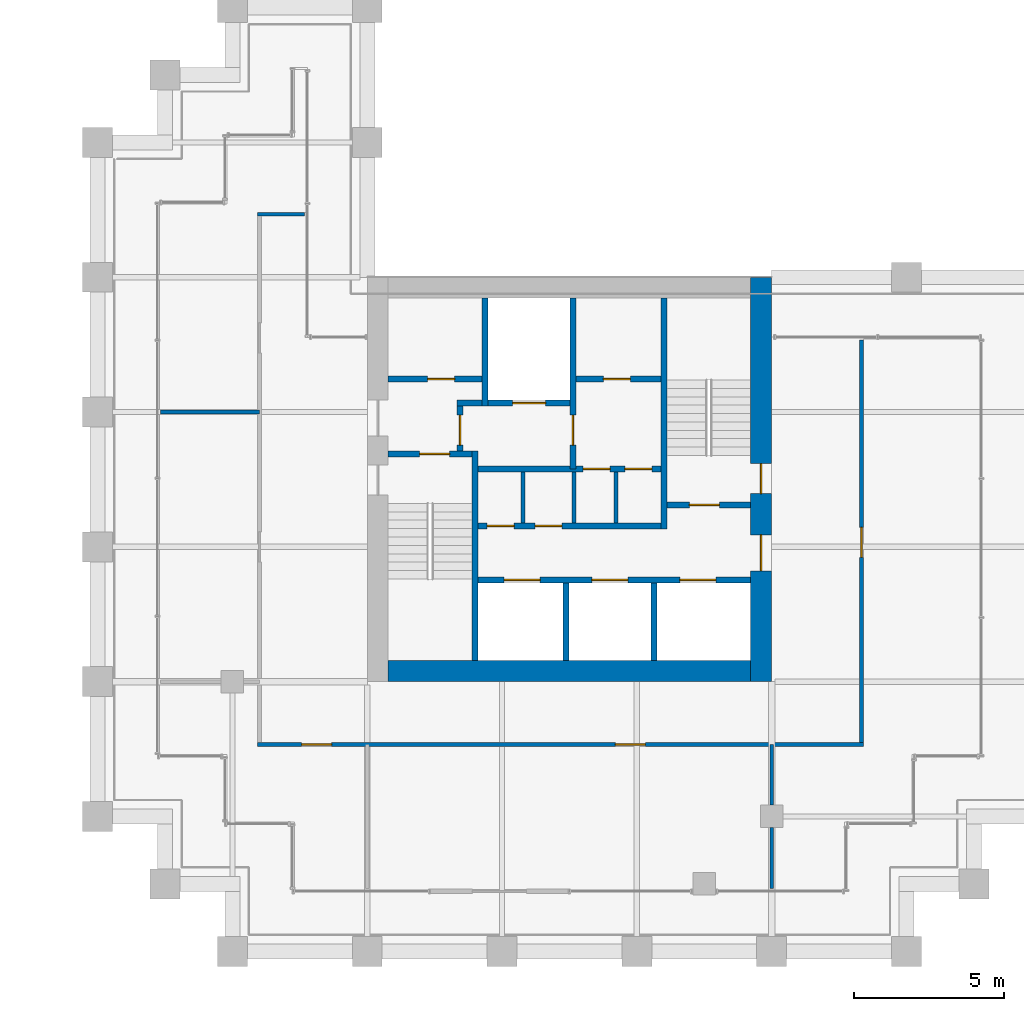
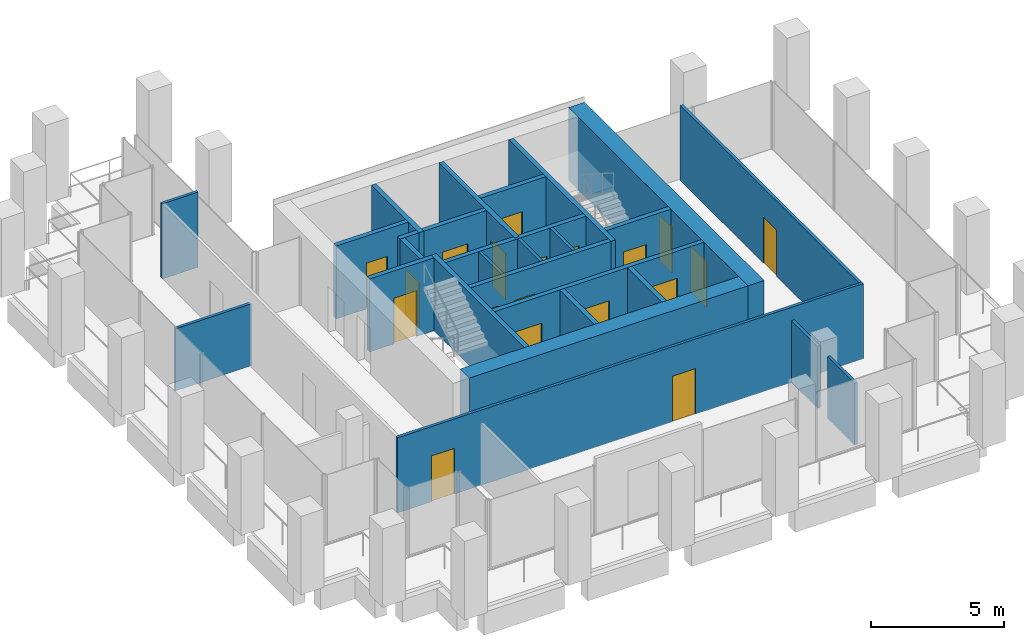
# One storey, part 43 of 46: 27 walls, 19 doors, 19 openings.
"""IFC4 building model written with IfcOpenShell, lengths in metres."""

import ifcopenshell
import ifcopenshell.guid

model = None  # the IFC model being written
_history = None  # IfcOwnerHistory: only IFC2X3 demands one
_inside = {}  # id of a spatial element -> (the spatial element, [elements in it])
_under = {}  # id of a project, library or spatial element -> (it, [spatial elements below it])
_declared = {}  # id of a project -> (the project, [libraries it declares])
_typed = {}  # id of a type object -> (the type object, [elements of that type])
_made_of = {}  # id of a material, layer set ... -> (it, [elements and type objects made of it])


def new_model(schema):
    """Start an empty IFC model of exactly this schema.

    Asked for "IFC4X3", IfcOpenShell would pick the latest addendum, in which some entities
    have other attributes; the version numbers below select the first issue.
    IFC2X3 requires an IfcOwnerHistory on every rooted entity: one is made here for all.
    """
    global model, _history
    if schema == "IFC4X3":
        model = ifcopenshell.file(schema_version=(4, 3, 0, 0))
    else:
        model = ifcopenshell.file(schema=schema)
    _inside.clear()
    _under.clear()
    _declared.clear()
    _typed.clear()
    _made_of.clear()
    _history = None
    if model.schema == "IFC2X3":
        org = make("IfcOrganization", Name="unknown")
        user = make(
            "IfcPersonAndOrganization",
            ThePerson=make("IfcPerson", FamilyName="unknown"),
            TheOrganization=org,
        )
        app = make(
            "IfcApplication",
            ApplicationDeveloper=org,
            Version="unknown",
            ApplicationFullName="unknown",
            ApplicationIdentifier="unknown",
        )
        _history = make(
            "IfcOwnerHistory",
            OwningUser=user,
            OwningApplication=app,
            ChangeAction="ADDED",
            CreationDate=0,
        )
    return model


def make(cls, **values):
    """One entity of the class cls with the attributes given. An attribute that is None is left unset."""
    return model.create_entity(
        cls, **{name: value for name, value in values.items() if value is not None}
    )


def rooted(cls, **values):
    """An entity with a GlobalId (a new one), such as an element, a storey or a relation."""
    return make(cls, GlobalId=ifcopenshell.guid.new(), OwnerHistory=_history, **values)


def si_unit(unit_type, name, prefix=None):
    """IfcSIUnit, for example si_unit("LENGTHUNIT", "METRE", prefix="MILLI")."""
    return make("IfcSIUnit", UnitType=unit_type, Prefix=prefix, Name=name)


def assignment(units):
    """IfcUnitAssignment: the units of a project."""
    return None if units is None else make("IfcUnitAssignment", Units=units)


def point(xyz):
    """IfcCartesianPoint."""
    return None if xyz is None else make("IfcCartesianPoint", Coordinates=xyz)


def direction(xyz):
    """IfcDirection."""
    return None if xyz is None else make("IfcDirection", DirectionRatios=xyz)


def frame(location, z_axis=None, x_axis=None):
    """IfcAxis2Placement3D, a coordinate frame: its origin and axes. An axis left out is left unset."""
    return make(
        "IfcAxis2Placement3D",
        Location=point(location),
        Axis=direction(z_axis),
        RefDirection=direction(x_axis),
    )


def frame_2d(location, x_axis=None):
    """IfcAxis2Placement2D, a coordinate frame in the plane: its origin and x axis."""
    return make(
        "IfcAxis2Placement2D", Location=point(location), RefDirection=direction(x_axis)
    )


def origin():
    """The frame at (0, 0, 0) with its axes left unset."""
    return frame((0.0, 0.0, 0.0))


def place(relative_to, where):
    """IfcLocalPlacement: puts the frame where relative to a parent placement (None: the world)."""
    return make(
        "IfcLocalPlacement", PlacementRelTo=relative_to, RelativePlacement=where
    )


def context(
    kind, dimensions, precision=None, world=None, true_north=None, identifier=None
):
    """IfcGeometricRepresentationContext, for example the 3D "Model" context."""
    return make(
        "IfcGeometricRepresentationContext",
        ContextIdentifier=identifier,
        ContextType=kind,
        CoordinateSpaceDimension=dimensions,
        Precision=precision,
        WorldCoordinateSystem=world,
        TrueNorth=true_north,
    )


def subcontext(parent, identifier, kind, view, scale=None):
    """IfcGeometricRepresentationSubContext, for example "Body" below "Model"."""
    return make(
        "IfcGeometricRepresentationSubContext",
        ContextIdentifier=identifier,
        ContextType=kind,
        ParentContext=parent,
        TargetScale=scale,
        TargetView=view,
    )


def project(units=None, contexts=None):
    """IfcProject with its units and contexts."""
    return rooted(
        "IfcProject",
        Name="project",
        RepresentationContexts=contexts,
        UnitsInContext=assignment(units),
    )


def spatial(cls, under=None, at=None, **own):
    """A site, building, storey or space (cls), placed at a placement, below another one or the project."""
    s = rooted(cls, ObjectPlacement=at, **own)
    if under is not None:
        _under.setdefault(under.id(), (under, []))[1].append(s)
    return s


def profile(cls, at=None, kind="AREA", **sizes):
    """A parametric profile (cls). Its sizes go by their IFC names, for example OverallWidth=200.0."""
    return make(cls, ProfileType=kind, Position=at, **sizes)


def rectangle(**sizes):
    """IfcRectangleProfileDef."""
    return profile("IfcRectangleProfileDef", **sizes)


def extrude(swept, where, along, depth):
    """IfcExtrudedAreaSolid: the profile swept, set in the frame where, extruded along a direction by depth."""
    return make(
        "IfcExtrudedAreaSolid",
        SweptArea=swept,
        Position=where,
        ExtrudedDirection=direction(along),
        Depth=depth,
    )


def shape(context_of_items, identifier, shape_type, items):
    """IfcShapeRepresentation: the items that make up one representation, for example the "Body"."""
    return make(
        "IfcShapeRepresentation",
        ContextOfItems=context_of_items,
        RepresentationIdentifier=identifier,
        RepresentationType=shape_type,
        Items=items,
    )


def material(Name=None, Category=None):
    """IfcMaterial."""
    return make("IfcMaterial", Name=Name, Category=Category)


def layer(
    of_material, thickness, ventilated=None, Name=None, Category=None, Priority=None
):
    """IfcMaterialLayer: one layer of a wall or slab, of a material (None: an air gap)."""
    return make(
        "IfcMaterialLayer",
        Material=of_material,
        LayerThickness=thickness,
        IsVentilated=ventilated,
        Name=Name,
        Category=Category,
        Priority=Priority,
    )


def layer_set(layers, Name=None):
    """IfcMaterialLayerSet."""
    return make("IfcMaterialLayerSet", MaterialLayers=layers, LayerSetName=Name)


def made_of(thing, what):
    """Note that an element or type object is made of a material, layer set ...; save() writes the relation."""
    if what is not None:
        _made_of.setdefault(what.id(), (what, []))[1].append(thing)
    return thing


def type_object(cls, material=None, **own):
    """A type object (cls), such as IfcWallType, which elements share."""
    return made_of(rooted(cls, **own), material)


def element(
    cls,
    number,
    at=None,
    inside=None,
    cuts=None,
    type_object=None,
    material=None,
    context=None,
    identifier="Body",
    shape_type=None,
    held_by="IfcProductDefinitionShape",
    body=None,
    shapes=None,
    **own,
):
    """One element of the class cls, such as IfcWall. Its Tag is "e" and its number.

    at: its placement. inside: the storey or other place that contains it. cuts: it is an
    opening in that element (IfcRelVoidsElement). A single representation is given by context,
    identifier, shape_type and body (its items); several are given by shapes. held_by: the class
    of the entity that holds the representations. save() writes the other relations.
    """
    e = rooted(cls, Tag="e%d" % number, ObjectPlacement=at, **own)
    if body is not None:
        shapes = [shape(context, identifier, shape_type, body)]
    if shapes is not None:
        e.Representation = make(held_by, Representations=shapes)
    if inside is not None:
        _inside.setdefault(inside.id(), (inside, []))[1].append(e)
    if cuts is not None:
        rooted(
            "IfcRelVoidsElement", RelatingBuildingElement=cuts, RelatedOpeningElement=e
        )
    if type_object is not None:
        _typed.setdefault(type_object.id(), (type_object, []))[1].append(e)
    return made_of(e, material)


def fill(opening, filler):
    """IfcRelFillsElement: the door or window that sits in an opening."""
    return rooted(
        "IfcRelFillsElement",
        RelatingOpeningElement=opening,
        RelatedBuildingElement=filler,
    )


def aggregate(whole, parts):
    """IfcRelAggregates: a whole, such as a stair, and the parts it consists of."""
    return rooted("IfcRelAggregates", RelatingObject=whole, RelatedObjects=parts)


def save(model, path):
    """Write the relations noted so far, then the file.

    IfcRelAggregates (storeys below a building ...), IfcRelContainedInSpatialStructure (elements
    in a storey), IfcRelDefinesByType, IfcRelAssociatesMaterial and IfcRelDeclares: one each for
    every whole, place, type object, material and project.
    """
    for whole, parts in _under.values():
        aggregate(whole, parts)
    for where, things in _inside.values():
        rooted(
            "IfcRelContainedInSpatialStructure",
            RelatedElements=things,
            RelatingStructure=where,
        )
    for kind, things in _typed.values():
        rooted("IfcRelDefinesByType", RelatedObjects=things, RelatingType=kind)
    for what, things in _made_of.values():
        rooted("IfcRelAssociatesMaterial", RelatedObjects=things, RelatingMaterial=what)
    for by, libraries in _declared.values():
        rooted("IfcRelDeclares", RelatingContext=by, RelatedDefinitions=libraries)
    model.write(path)


model = new_model("IFC4")

# Units and contexts
model_context = context("Model", 3, precision=1e-05, world=origin(), true_north=direction((0.0, 1.0)))
body_context = subcontext(model_context, "Body", "Model", "MODEL_VIEW")
ifc_project = project(units=[si_unit("LENGTHUNIT", "METRE"), si_unit("AREAUNIT", "SQUARE_METRE"), si_unit("VOLUMEUNIT", "CUBIC_METRE"), si_unit("PLANEANGLEUNIT", "RADIAN"), si_unit("MASSUNIT", "GRAM", prefix="KILO")], contexts=[model_context])

# Site, building, storey
site_placement = place(None, origin())
site = spatial("IfcSite", under=ifc_project, at=site_placement, CompositionType="ELEMENT")
building_placement = place(site_placement, origin())
building = spatial("IfcBuilding", under=site, at=building_placement, Name="Altepetl Exchange Towers", CompositionType="ELEMENT")
storey_placement = place(building_placement, frame((0.0, 0.0, 106.39990234375)))
storey = spatial("IfcBuildingStorey", under=building, at=storey_placement, Name="L26", CompositionType="ELEMENT", Elevation=106.39990234375)

# Wall, openings, doors
ifc_material_1 = material(Name="Concrete C70/85", Category="concrete")
ifc_layer_1 = layer(ifc_material_1, 0.699951171875)
ifc_layer_set_1 = layer_set([ifc_layer_1], Name="Concrete C70/85")
wall_type_1 = type_object("IfcWallType", Name="Core wall 700 reinforced concrete", PredefinedType="SHEAR", material=ifc_layer_set_1)
wall_1_placement = place(storey_placement, frame((116.64990234375, 36.0, 0.0), z_axis=(0.0, 0.0, 1.0), x_axis=(0.0, 1.0, 0.0)))
wall_1 = element("IfcWall", 1, at=wall_1_placement, inside=storey, type_object=wall_type_1, Name="wall:B:L26:K-coreE", PredefinedType="SHEAR", context=body_context, shape_type="SweptSolid", body=[
    extrude(rectangle(XDim=13.5, YDim=0.699951171875, at=frame_2d((6.75, 0.0))), origin(), (0.0, 0.0, 1.0), 3.35009765625),
])
opening_1_placement = place(wall_1_placement, frame((3.699951171875, 0.0, 0.0)))
opening_1 = element("IfcOpeningElement", 2, at=opening_1_placement, cuts=wall_1, Name="Opening L26.B61", PredefinedType="OPENING", context=body_context, shape_type="SweptSolid", body=[
    extrude(rectangle(XDim=1.199951171875, YDim=2.10009765625, at=frame_2d((0.60009765625, 1.050048828125))), frame((0.0, 0.35986328125, 0.0), z_axis=(0.0, -1.0, 0.0), x_axis=(1.0, 0.0, 0.0)), (0.0, 0.0, 1.0), 0.719970703125),
])
opening_2_placement = place(wall_1_placement, frame((6.27490234375, 0.0, 0.0)))
opening_2 = element("IfcOpeningElement", 3, at=opening_2_placement, cuts=wall_1, Name="Opening L26.B65", PredefinedType="OPENING", context=body_context, shape_type="SweptSolid", body=[
    extrude(rectangle(XDim=1.0, YDim=2.10009765625, at=frame_2d((0.5, 1.050048828125))), frame((0.0, 0.35986328125, 0.0), z_axis=(0.0, -1.0, 0.0), x_axis=(1.0, 0.0, 0.0)), (0.0, 0.0, 1.0), 0.719970703125),
])
ifc_material_2 = material(Name="Steel and timber fire door", Category="steel")
door_type_1 = type_object("IfcDoorType", Name="Fire door 1000 x 2100 stair and lobby", OperationType="SINGLE_SWING_LEFT", PredefinedType="DOOR", material=ifc_material_2)
door_1_placement = place(opening_2_placement, origin())
door_1 = element("IfcDoor", 4, at=door_1_placement, inside=storey, type_object=door_type_1, Name="door:B:L26:K-dS2x", OperationType="SINGLE_SWING_LEFT", OverallHeight=2.10009765625, OverallWidth=1.0, PredefinedType="DOOR", context=body_context, shape_type="SweptSolid", body=[
    extrude(rectangle(XDim=1.0, YDim=2.10009765625, at=frame_2d((0.5, 1.050048828125))), frame((0.0, 0.02490234375, 0.0), z_axis=(0.0, -1.0, 0.0), x_axis=(1.0, 0.0, 0.0)), (0.0, 0.0, 1.0), 0.050048828125),
])
fill(opening_2, door_1)
door_type_2 = type_object("IfcDoorType", Name="Fire door 1200 x 2100 lobby entry", OperationType="SINGLE_SWING_LEFT", PredefinedType="DOOR", material=ifc_material_2)
door_2_placement = place(opening_1_placement, origin())
door_2 = element("IfcDoor", 5, at=door_2_placement, inside=storey, type_object=door_type_2, Name="door:B:L26:K-dLSE", OperationType="SINGLE_SWING_RIGHT", OverallHeight=2.10009765625, OverallWidth=1.199951171875, PredefinedType="DOOR", context=body_context, shape_type="SweptSolid", body=[
    extrude(rectangle(XDim=1.199951171875, YDim=2.10009765625, at=frame_2d((0.60009765625, 1.050048828125))), frame((0.0, 0.02490234375, 0.0), z_axis=(0.0, -1.0, 0.0), x_axis=(1.0, 0.0, 0.0)), (0.0, 0.0, 1.0), 0.050048828125),
])
fill(opening_1, door_2)

# Walls
wall_2_placement = place(storey_placement, frame((104.199951171875, 36.35009765625, 0.0)))
element("IfcWall", 6, at=wall_2_placement, inside=storey, type_object=wall_type_1, Name="wall:B:L26:K-coreS", PredefinedType="SHEAR", context=body_context, shape_type="SweptSolid", body=[
    extrude(rectangle(XDim=12.10009765625, YDim=0.699951171875, at=frame_2d((6.050048828125, 0.0))), origin(), (0.0, 0.0, 1.0), 3.35009765625),
])
ifc_material_3 = material(Name="Concrete blockwork", Category="masonry")
ifc_layer_2 = layer(ifc_material_3, 0.199951171875)
ifc_layer_set_2 = layer_set([ifc_layer_2], Name="Concrete blockwork")
wall_type_2 = type_object("IfcWallType", Name="Lobby wall 200 blockwork", PredefinedType="PARTITIONING", material=ifc_layer_set_2)
wall_3_placement = place(storey_placement, frame((106.5, 45.300048828125, 0.0)))
element("IfcWall", 7, at=wall_3_placement, inside=storey, type_object=wall_type_2, Name="wall:B:L26:K-ffNw", PredefinedType="PARTITIONING", context=body_context, shape_type="SweptSolid", body=[
    extrude(rectangle(XDim=0.833251953125, YDim=0.199951171875, at=frame_2d((0.41650390625, 0.0))), origin(), (0.0, 0.0, 1.0), 3.35009765625),
])

# Wall, opening, door
wall_4_placement = place(storey_placement, frame((106.60009765625, 43.699951171875, 0.0), z_axis=(0.0, 0.0, 1.0), x_axis=(0.0, 1.0, 0.0)))
wall_4 = element("IfcWall", 8, at=wall_4_placement, inside=storey, type_object=wall_type_2, Name="wall:B:L26:K-ffW", PredefinedType="PARTITIONING", context=body_context, shape_type="SweptSolid", body=[
    extrude(rectangle(XDim=1.5, YDim=0.199951171875, at=frame_2d((0.75, 0.0))), origin(), (0.0, 0.0, 1.0), 3.35009765625),
])
opening_3_placement = place(wall_4_placement, frame((0.199951171875, 0.0, 0.0)))
opening_3 = element("IfcOpeningElement", 9, at=opening_3_placement, cuts=wall_4, Name="Opening L26.B67", PredefinedType="OPENING", context=body_context, shape_type="SweptSolid", body=[
    extrude(rectangle(XDim=1.0, YDim=2.10009765625, at=frame_2d((0.5, 1.050048828125))), frame((0.0, 0.10986328125, 0.0), z_axis=(0.0, -1.0, 0.0), x_axis=(1.0, 0.0, 0.0)), (0.0, 0.0, 1.0), 0.219970703125),
])
door_3_placement = place(opening_3_placement, frame((1.0, 0.0, 0.0), x_axis=(-1.0, 0.0, 0.0)))
door_3 = element("IfcDoor", 10, at=door_3_placement, inside=storey, type_object=door_type_1, Name="door:B:L26:K-dffW", OperationType="SINGLE_SWING_LEFT", OverallHeight=2.10009765625, OverallWidth=1.0, PredefinedType="DOOR", context=body_context, shape_type="SweptSolid", body=[
    extrude(rectangle(XDim=1.0, YDim=2.10009765625, at=frame_2d((0.5, 1.050048828125))), frame((0.0, 0.02490234375, 0.0), z_axis=(0.0, -1.0, 0.0), x_axis=(1.0, 0.0, 0.0)), (0.0, 0.0, 1.0), 0.050048828125),
])
fill(opening_3, door_3)

# Wall, openings, doors
wall_5_placement = place(storey_placement, frame((107.199951171875, 43.10009765625, 0.0)))
wall_5 = element("IfcWall", 11, at=wall_5_placement, inside=storey, type_object=wall_type_2, Name="wall:B:L26:K-zoneN", PredefinedType="PARTITIONING", context=body_context, shape_type="SweptSolid", body=[
    extrude(rectangle(XDim=6.10009765625, YDim=0.199951171875, at=frame_2d((3.050048828125, 0.0))), origin(), (0.0, 0.0, 1.0), 3.35009765625),
])
opening_4_placement = place(wall_5_placement, frame((3.508544921875, 0.0, 0.0)))
opening_4 = element("IfcOpeningElement", 12, at=opening_4_placement, cuts=wall_5, Name="Opening L26.B72", PredefinedType="OPENING", context=body_context, shape_type="SweptSolid", body=[
    extrude(rectangle(XDim=0.89990234375, YDim=2.10009765625, at=frame_2d((0.449951171875, 1.050048828125))), frame((0.0, 0.10986328125, 0.0), z_axis=(0.0, -1.0, 0.0), x_axis=(1.0, 0.0, 0.0)), (0.0, 0.0, 1.0), 0.219970703125),
])
opening_5_placement = place(wall_5_placement, frame((4.89990234375, 0.0, 0.0)))
opening_5 = element("IfcOpeningElement", 13, at=opening_5_placement, cuts=wall_5, Name="Opening L26.B73", PredefinedType="OPENING", context=body_context, shape_type="SweptSolid", body=[
    extrude(rectangle(XDim=0.89990234375, YDim=2.10009765625, at=frame_2d((0.449951171875, 1.050048828125))), frame((0.0, 0.10986328125, 0.0), z_axis=(0.0, -1.0, 0.0), x_axis=(1.0, 0.0, 0.0)), (0.0, 0.0, 1.0), 0.219970703125),
])
door_type_3 = type_object("IfcDoorType", Name="Fire door 900 x 2100 service room", OperationType="SINGLE_SWING_LEFT", PredefinedType="DOOR", material=ifc_material_2)
door_4_placement = place(opening_4_placement, frame((0.89990234375, 0.0, 0.0), x_axis=(-1.0, 0.0, 0.0)))
door_4 = element("IfcDoor", 14, at=door_4_placement, inside=storey, type_object=door_type_3, Name="door:B:L26:K-dz3", OperationType="SINGLE_SWING_RIGHT", OverallHeight=2.10009765625, OverallWidth=0.89990234375, PredefinedType="DOOR", context=body_context, shape_type="SweptSolid", body=[
    extrude(rectangle(XDim=0.89990234375, YDim=2.10009765625, at=frame_2d((0.449951171875, 1.050048828125))), frame((0.0, 0.02490234375, 0.0), z_axis=(0.0, -1.0, 0.0), x_axis=(1.0, 0.0, 0.0)), (0.0, 0.0, 1.0), 0.050048828125),
])
fill(opening_4, door_4)
door_5_placement = place(opening_5_placement, frame((0.89990234375, 0.0, 0.0), x_axis=(-1.0, 0.0, 0.0)))
door_5 = element("IfcDoor", 15, at=door_5_placement, inside=storey, type_object=door_type_3, Name="door:B:L26:K-dz4", OperationType="SINGLE_SWING_RIGHT", OverallHeight=2.10009765625, OverallWidth=0.89990234375, PredefinedType="DOOR", context=body_context, shape_type="SweptSolid", body=[
    extrude(rectangle(XDim=0.89990234375, YDim=2.10009765625, at=frame_2d((0.449951171875, 1.050048828125))), frame((0.0, 0.02490234375, 0.0), z_axis=(0.0, -1.0, 0.0), x_axis=(1.0, 0.0, 0.0)), (0.0, 0.0, 1.0), 0.050048828125),
])
fill(opening_5, door_5)

wall_6_placement = place(storey_placement, frame((107.199951171875, 41.199951171875, 0.0)))
wall_6 = element("IfcWall", 16, at=wall_6_placement, inside=storey, type_object=wall_type_2, Name="wall:B:L26:K-zoneS", PredefinedType="PARTITIONING", context=body_context, shape_type="SweptSolid", body=[
    extrude(rectangle(XDim=6.10009765625, YDim=0.199951171875, at=frame_2d((3.050048828125, 0.0))), origin(), (0.0, 0.0, 1.0), 3.35009765625),
])
opening_6_placement = place(wall_6_placement, frame((0.300048828125, 0.0, 0.0)))
opening_6 = element("IfcOpeningElement", 17, at=opening_6_placement, cuts=wall_6, Name="Opening L26.B70", PredefinedType="OPENING", context=body_context, shape_type="SweptSolid", body=[
    extrude(rectangle(XDim=0.89990234375, YDim=2.10009765625, at=frame_2d((0.449951171875, 1.050048828125))), frame((0.0, 0.10986328125, 0.0), z_axis=(0.0, -1.0, 0.0), x_axis=(1.0, 0.0, 0.0)), (0.0, 0.0, 1.0), 0.219970703125),
])
opening_7_placement = place(wall_6_placement, frame((1.89990234375, 0.0, 0.0)))
opening_7 = element("IfcOpeningElement", 18, at=opening_7_placement, cuts=wall_6, Name="Opening L26.B71", PredefinedType="OPENING", context=body_context, shape_type="SweptSolid", body=[
    extrude(rectangle(XDim=0.89990234375, YDim=2.10009765625, at=frame_2d((0.449951171875, 1.050048828125))), frame((0.0, 0.10986328125, 0.0), z_axis=(0.0, -1.0, 0.0), x_axis=(1.0, 0.0, 0.0)), (0.0, 0.0, 1.0), 0.219970703125),
])
door_6_placement = place(opening_6_placement, origin())
door_6 = element("IfcDoor", 19, at=door_6_placement, inside=storey, type_object=door_type_3, Name="door:B:L26:K-dz1", OperationType="SINGLE_SWING_RIGHT", OverallHeight=2.10009765625, OverallWidth=0.89990234375, PredefinedType="DOOR", context=body_context, shape_type="SweptSolid", body=[
    extrude(rectangle(XDim=0.89990234375, YDim=2.10009765625, at=frame_2d((0.449951171875, 1.050048828125))), frame((0.0, 0.02490234375, 0.0), z_axis=(0.0, -1.0, 0.0), x_axis=(1.0, 0.0, 0.0)), (0.0, 0.0, 1.0), 0.050048828125),
])
fill(opening_6, door_6)
door_7_placement = place(opening_7_placement, origin())
door_7 = element("IfcDoor", 20, at=door_7_placement, inside=storey, type_object=door_type_3, Name="door:B:L26:K-dz2", OperationType="SINGLE_SWING_RIGHT", OverallHeight=2.10009765625, OverallWidth=0.89990234375, PredefinedType="DOOR", context=body_context, shape_type="SweptSolid", body=[
    extrude(rectangle(XDim=0.89990234375, YDim=2.10009765625, at=frame_2d((0.449951171875, 1.050048828125))), frame((0.0, 0.02490234375, 0.0), z_axis=(0.0, -1.0, 0.0), x_axis=(1.0, 0.0, 0.0)), (0.0, 0.0, 1.0), 0.050048828125),
])
fill(opening_7, door_7)

# Walls
ifc_material_4 = material(Name="Timber panels on aluminium track", Category="wood")
ifc_layer_3 = layer(ifc_material_4, 0.125)
ifc_layer_set_3 = layer_set([ifc_layer_3], Name="Timber panels on aluminium track")
wall_type_3 = type_object("IfcWallType", Name="Operable acoustic partition 125", PredefinedType="MOVABLE", material=ifc_layer_set_3)
wall_7_placement = place(storey_placement, frame((96.60009765625, 45.0, 0.0)))
element("IfcWall", 21, at=wall_7_placement, inside=storey, type_object=wall_type_3, Name="wall:B:L26:P04", PredefinedType="MOVABLE", context=body_context, shape_type="SweptSolid", body=[
    extrude(rectangle(XDim=3.2998046875, YDim=0.125, at=frame_2d((1.64990234375, 0.0))), origin(), (0.0, 0.0, 1.0), 2.85107421875),
])
ifc_material_5 = material(Name="Gypsum board on steel studs", Category="steel")
ifc_layer_4 = layer(ifc_material_5, 0.125)
ifc_layer_set_4 = layer_set([ifc_layer_4], Name="Gypsum board on steel studs")
wall_type_4 = type_object("IfcWallType", Name="Partition 125 gypsum board on steel studs", PredefinedType="PARTITIONING", material=ifc_layer_set_4)
for number, where, z_axis, x_axis, name in (
    (22, (108.699951171875, 41.300048828125, 0.0), (0.0, 0.0, 1.0), (0.0, 1.0, 0.0), "wall:B:L26:K-zp1"),
    (23, (110.39990234375, 41.300048828125, 0.0), (0.0, 0.0, 1.0), (0.0, 1.0, 0.0), "wall:B:L26:K-zp2"),
    (24, (111.800048828125, 41.300048828125, 0.0), (0.0, 0.0, 1.0), (0.0, 1.0, 0.0), "wall:B:L26:K-zp3"),
):
    element("IfcWall", number, at=place(storey_placement, frame(where, z_axis=z_axis, x_axis=x_axis)), inside=storey, type_object=wall_type_4, Name=name, PredefinedType="PARTITIONING", context=body_context, shape_type="SweptSolid", body=[
        extrude(rectangle(XDim=1.699951171875, YDim=0.125, at=frame_2d((0.85009765625, 0.0))), origin(), (0.0, 0.0, 1.0), 3.35009765625),
    ])

# Wall, openings, doors
wall_8_placement = place(storey_placement, frame((99.83740234375, 33.89990234375, 0.0)))
wall_8 = element("IfcWall", 25, at=wall_8_placement, inside=storey, type_object=wall_type_4, Name="wall:B:L26:P01", PredefinedType="PARTITIONING", context=body_context, shape_type="SweptSolid", body=[
    extrude(rectangle(XDim=20.22509765625, YDim=0.125, at=frame_2d((10.112548828125, 0.0))), origin(), (0.0, 0.0, 1.0), 3.4501953125),
])
opening_8_placement = place(wall_8_placement, frame((1.470458984375, 0.0, 0.0)))
opening_8 = element("IfcOpeningElement", 26, at=opening_8_placement, cuts=wall_8, Name="Opening L26.B02", PredefinedType="OPENING", context=body_context, shape_type="SweptSolid", body=[
    extrude(rectangle(XDim=1.0, YDim=2.10009765625, at=frame_2d((0.5, 1.050048828125))), frame((0.0, 0.072509765625, 0.0), z_axis=(0.0, -1.0, 0.0), x_axis=(1.0, 0.0, 0.0)), (0.0, 0.0, 1.0), 0.14501953125),
])
opening_9_placement = place(wall_8_placement, frame((11.9423828125, 0.0, 0.0)))
opening_9 = element("IfcOpeningElement", 27, at=opening_9_placement, cuts=wall_8, Name="Opening L26.B03", PredefinedType="OPENING", context=body_context, shape_type="SweptSolid", body=[
    extrude(rectangle(XDim=1.0, YDim=2.10009765625, at=frame_2d((0.5, 1.050048828125))), frame((0.0, 0.072509765625, 0.0), z_axis=(0.0, -1.0, 0.0), x_axis=(1.0, 0.0, 0.0)), (0.0, 0.0, 1.0), 0.14501953125),
])
door_type_4 = type_object("IfcDoorType", Name="Fire door 1000 x 2100 single leaf", OperationType="SINGLE_SWING_LEFT", PredefinedType="DOOR", material=ifc_material_2)
door_8_placement = place(opening_8_placement, frame((1.0, 0.0, 0.0), x_axis=(-1.0, 0.0, 0.0)))
door_8 = element("IfcDoor", 28, at=door_8_placement, inside=storey, type_object=door_type_4, Name="door:B:L26:02", OperationType="SINGLE_SWING_RIGHT", OverallHeight=2.10009765625, OverallWidth=1.0, PredefinedType="DOOR", context=body_context, shape_type="SweptSolid", body=[
    extrude(rectangle(XDim=1.0, YDim=2.10009765625, at=frame_2d((0.5, 1.050048828125))), frame((0.0, 0.02490234375, 0.0), z_axis=(0.0, -1.0, 0.0), x_axis=(1.0, 0.0, 0.0)), (0.0, 0.0, 1.0), 0.050048828125),
])
fill(opening_8, door_8)
door_9_placement = place(opening_9_placement, frame((1.0, 0.0, 0.0), x_axis=(-1.0, 0.0, 0.0)))
door_9 = element("IfcDoor", 29, at=door_9_placement, inside=storey, type_object=door_type_4, Name="door:B:L26:03", OperationType="SINGLE_SWING_RIGHT", OverallHeight=2.10009765625, OverallWidth=1.0, PredefinedType="DOOR", context=body_context, shape_type="SweptSolid", body=[
    extrude(rectangle(XDim=1.0, YDim=2.10009765625, at=frame_2d((0.5, 1.050048828125))), frame((0.0, 0.02490234375, 0.0), z_axis=(0.0, -1.0, 0.0), x_axis=(1.0, 0.0, 0.0)), (0.0, 0.0, 1.0), 0.050048828125),
])
fill(opening_9, door_9)

# Walls
wall_9_placement = place(storey_placement, frame((99.83740234375, 51.60009765625, 0.0)))
element("IfcWall", 30, at=wall_9_placement, inside=storey, type_object=wall_type_4, Name="wall:B:L26:P05", PredefinedType="PARTITIONING", context=body_context, shape_type="SweptSolid", body=[
    extrude(rectangle(XDim=1.5625, YDim=0.125, at=frame_2d((0.78125, 0.0))), origin(), (0.0, 0.0, 1.0), 3.4501953125),
])
for number, where, z_axis, x_axis, name in (
    (31, (117.0, 29.10009765625, 0.0), (0.0, 0.0, 1.0), (0.0, 1.0, 0.0), "wall:B:L26:P08"),
    (32, (117.0, 31.875, 0.0), (0.0, 0.0, 1.0), (0.0, 1.0, 0.0), "wall:B:L26:P09"),
):
    element("IfcWall", number, at=place(storey_placement, frame(where, z_axis=z_axis, x_axis=x_axis)), inside=storey, type_object=wall_type_4, Name=name, PredefinedType="PARTITIONING", context=body_context, shape_type="SweptSolid", body=[
        extrude(rectangle(XDim=2.02490234375, YDim=0.125, at=frame_2d((1.012451171875, 0.0))), origin(), (0.0, 0.0, 1.0), 2.842041015625),
    ])

# Wall, opening, door
wall_10_placement = place(storey_placement, frame((120.0, 33.96240234375, 0.0), z_axis=(0.0, 0.0, 1.0), x_axis=(0.0, 1.0, 0.0)))
wall_10 = element("IfcWall", 33, at=wall_10_placement, inside=storey, type_object=wall_type_4, Name="wall:B:L26:P10", PredefinedType="PARTITIONING", context=body_context, shape_type="SweptSolid", body=[
    extrude(rectangle(XDim=13.4375, YDim=0.125, at=frame_2d((6.71875, 0.0))), origin(), (0.0, 0.0, 1.0), 3.4501953125),
])
opening_10_placement = place(wall_10_placement, frame((6.1875, 0.0, 0.0)))
opening_10 = element("IfcOpeningElement", 34, at=opening_10_placement, cuts=wall_10, Name="Opening L26.B04", PredefinedType="OPENING", context=body_context, shape_type="SweptSolid", body=[
    extrude(rectangle(XDim=1.0, YDim=2.10009765625, at=frame_2d((0.5, 1.050048828125))), frame((0.0, 0.072509765625, 0.0), z_axis=(0.0, -1.0, 0.0), x_axis=(1.0, 0.0, 0.0)), (0.0, 0.0, 1.0), 0.14501953125),
])
door_10_placement = place(opening_10_placement, frame((1.0, 0.0, 0.0), x_axis=(-1.0, 0.0, 0.0)))
door_10 = element("IfcDoor", 35, at=door_10_placement, inside=storey, type_object=door_type_4, Name="door:B:L26:04", OperationType="SINGLE_SWING_LEFT", OverallHeight=2.10009765625, OverallWidth=1.0, PredefinedType="DOOR", context=body_context, shape_type="SweptSolid", body=[
    extrude(rectangle(XDim=1.0, YDim=2.10009765625, at=frame_2d((0.5, 1.050048828125))), frame((0.0, 0.02490234375, 0.0), z_axis=(0.0, -1.0, 0.0), x_axis=(1.0, 0.0, 0.0)), (0.0, 0.0, 1.0), 0.050048828125),
])
fill(opening_10, door_10)

# Wall
ifc_material_6 = material(Name="Concrete C40/50", Category="concrete")
ifc_layer_5 = layer(ifc_material_6, 0.199951171875)
ifc_layer_set_5 = layer_set([ifc_layer_5], Name="Concrete C40/50")
wall_type_5 = type_object("IfcWallType", Name="Shaft wall 200 reinforced concrete", PredefinedType="SHEAR", material=ifc_layer_set_5)
wall_11_placement = place(storey_placement, frame((107.433349609375, 48.800048828125, 0.0), z_axis=(0.0, 0.0, 1.0), x_axis=(0.0, -1.0, 0.0)))
element("IfcWall", 36, at=wall_11_placement, inside=storey, type_object=wall_type_5, Name="wall:B:L26:K-divN1", PredefinedType="SHEAR", context=body_context, shape_type="SweptSolid", body=[
    extrude(rectangle(XDim=3.60009765625, YDim=0.199951171875, at=frame_2d((1.800048828125, 0.0))), origin(), (0.0, 0.0, 1.0), 3.35009765625),
])

# Wall, opening, door
wall_12_placement = place(storey_placement, frame((110.36669921875, 48.800048828125, 0.0), z_axis=(0.0, 0.0, 1.0), x_axis=(0.0, -1.0, 0.0)))
wall_12 = element("IfcWall", 37, at=wall_12_placement, inside=storey, type_object=wall_type_5, Name="wall:B:L26:K-divN2", PredefinedType="SHEAR", context=body_context, shape_type="SweptSolid", body=[
    extrude(rectangle(XDim=5.699951171875, YDim=0.199951171875, at=frame_2d((2.85009765625, 0.0))), origin(), (0.0, 0.0, 1.0), 3.35009765625),
])
opening_11_placement = place(wall_12_placement, frame((3.89990234375, 0.0, 0.0)))
opening_11 = element("IfcOpeningElement", 38, at=opening_11_placement, cuts=wall_12, Name="Opening L26.B66", PredefinedType="OPENING", context=body_context, shape_type="SweptSolid", body=[
    extrude(rectangle(XDim=1.0, YDim=2.10009765625, at=frame_2d((0.5, 1.050048828125))), frame((0.0, 0.10986328125, 0.0), z_axis=(0.0, -1.0, 0.0), x_axis=(1.0, 0.0, 0.0)), (0.0, 0.0, 1.0), 0.219970703125),
])
door_11_placement = place(opening_11_placement, frame((1.0, 0.0, 0.0), x_axis=(-1.0, 0.0, 0.0)))
door_11 = element("IfcDoor", 39, at=door_11_placement, inside=storey, type_object=door_type_1, Name="door:B:L26:K-dffE", OperationType="SINGLE_SWING_RIGHT", OverallHeight=2.10009765625, OverallWidth=1.0, PredefinedType="DOOR", context=body_context, shape_type="SweptSolid", body=[
    extrude(rectangle(XDim=1.0, YDim=2.10009765625, at=frame_2d((0.5, 1.050048828125))), frame((0.0, 0.02490234375, 0.0), z_axis=(0.0, -1.0, 0.0), x_axis=(1.0, 0.0, 0.0)), (0.0, 0.0, 1.0), 0.050048828125),
])
fill(opening_11, door_11)

# Walls
for number, where, z_axis, x_axis, name in (
    (40, (110.13330078125, 36.699951171875, 0.0), (0.0, 0.0, 1.0), (0.0, 1.0, 0.0), "wall:B:L26:K-divS1"),
    (41, (113.066650390625, 36.699951171875, 0.0), (0.0, 0.0, 1.0), (0.0, 1.0, 0.0), "wall:B:L26:K-divS2"),
):
    element("IfcWall", number, at=place(storey_placement, frame(where, z_axis=z_axis, x_axis=x_axis)), inside=storey, type_object=wall_type_5, Name=name, PredefinedType="SHEAR", context=body_context, shape_type="SweptSolid", body=[
        extrude(rectangle(XDim=2.60009765625, YDim=0.199951171875, at=frame_2d((1.300048828125, 0.0))), origin(), (0.0, 0.0, 1.0), 3.35009765625),
    ])

# Wall, opening, door
wall_13_placement = place(storey_placement, frame((104.199951171875, 46.10009765625, 0.0)))
wall_13 = element("IfcWall", 42, at=wall_13_placement, inside=storey, type_object=wall_type_5, Name="wall:B:L26:K-frontNa", PredefinedType="SHEAR", context=body_context, shape_type="SweptSolid", body=[
    extrude(rectangle(XDim=3.13330078125, YDim=0.199951171875, at=frame_2d((1.566650390625, 0.0))), origin(), (0.0, 0.0, 1.0), 3.35009765625),
])
opening_12_placement = place(wall_13_placement, frame((1.316650390625, 0.0, 0.0)))
opening_12 = element("IfcOpeningElement", 43, at=opening_12_placement, cuts=wall_13, Name="Opening L26.B68", PredefinedType="OPENING", context=body_context, shape_type="SweptSolid", body=[
    extrude(rectangle(XDim=0.89990234375, YDim=2.10009765625, at=frame_2d((0.449951171875, 1.050048828125))), frame((0.0, 0.10986328125, 0.0), z_axis=(0.0, -1.0, 0.0), x_axis=(1.0, 0.0, 0.0)), (0.0, 0.0, 1.0), 0.219970703125),
])
door_12_placement = place(opening_12_placement, origin())
door_12 = element("IfcDoor", 44, at=door_12_placement, inside=storey, type_object=door_type_3, Name="door:B:L26:K-dslotN0", OperationType="SINGLE_SWING_RIGHT", OverallHeight=2.10009765625, OverallWidth=0.89990234375, PredefinedType="DOOR", context=body_context, shape_type="SweptSolid", body=[
    extrude(rectangle(XDim=0.89990234375, YDim=2.10009765625, at=frame_2d((0.449951171875, 1.050048828125))), frame((0.0, 0.02490234375, 0.0), z_axis=(0.0, -1.0, 0.0), x_axis=(1.0, 0.0, 0.0)), (0.0, 0.0, 1.0), 0.050048828125),
])
fill(opening_12, door_12)

wall_14_placement = place(storey_placement, frame((110.466796875, 46.10009765625, 0.0)))
wall_14 = element("IfcWall", 45, at=wall_14_placement, inside=storey, type_object=wall_type_5, Name="wall:B:L26:K-frontNb", PredefinedType="SHEAR", context=body_context, shape_type="SweptSolid", body=[
    extrude(rectangle(XDim=2.833251953125, YDim=0.199951171875, at=frame_2d((1.41650390625, 0.0))), origin(), (0.0, 0.0, 1.0), 3.35009765625),
])
opening_13_placement = place(wall_14_placement, frame((0.91650390625, 0.0, 0.0)))
opening_13 = element("IfcOpeningElement", 46, at=opening_13_placement, cuts=wall_14, Name="Opening L26.B69", PredefinedType="OPENING", context=body_context, shape_type="SweptSolid", body=[
    extrude(rectangle(XDim=0.89990234375, YDim=2.10009765625, at=frame_2d((0.449951171875, 1.050048828125))), frame((0.0, 0.10986328125, 0.0), z_axis=(0.0, -1.0, 0.0), x_axis=(1.0, 0.0, 0.0)), (0.0, 0.0, 1.0), 0.219970703125),
])
door_13_placement = place(opening_13_placement, origin())
door_13 = element("IfcDoor", 47, at=door_13_placement, inside=storey, type_object=door_type_3, Name="door:B:L26:K-dslotN2", OperationType="SINGLE_SWING_RIGHT", OverallHeight=2.10009765625, OverallWidth=0.89990234375, PredefinedType="DOOR", context=body_context, shape_type="SweptSolid", body=[
    extrude(rectangle(XDim=0.89990234375, YDim=2.10009765625, at=frame_2d((0.449951171875, 1.050048828125))), frame((0.0, 0.02490234375, 0.0), z_axis=(0.0, -1.0, 0.0), x_axis=(1.0, 0.0, 0.0)), (0.0, 0.0, 1.0), 0.050048828125),
])
fill(opening_13, door_13)

wall_15_placement = place(storey_placement, frame((107.533203125, 45.300048828125, 0.0)))
wall_15 = element("IfcWall", 48, at=wall_15_placement, inside=storey, type_object=wall_type_5, Name="wall:B:L26:K-frontNd", PredefinedType="SHEAR", context=body_context, shape_type="SweptSolid", body=[
    extrude(rectangle(XDim=2.7333984375, YDim=0.199951171875, at=frame_2d((1.36669921875, 0.0))), origin(), (0.0, 0.0, 1.0), 3.35009765625),
])
opening_14_placement = place(wall_15_placement, frame((0.816650390625, 0.0, 0.0)))
opening_14 = element("IfcOpeningElement", 49, at=opening_14_placement, cuts=wall_15, Name="Opening L26.B74", PredefinedType="OPENING", context=body_context, shape_type="SweptSolid", body=[
    extrude(rectangle(XDim=1.10009765625, YDim=2.10009765625, at=frame_2d((0.550048828125, 1.050048828125))), frame((0.0, 0.10986328125, 0.0), z_axis=(0.0, -1.0, 0.0), x_axis=(1.0, 0.0, 0.0)), (0.0, 0.0, 1.0), 0.219970703125),
])
ifc_material_7 = material(Name="Stainless steel", Category="steel")
door_type_5 = type_object("IfcDoorType", Name="Lift landing door 1100 x 2100", OperationType="SLIDING_TO_LEFT", PredefinedType="DOOR", material=ifc_material_7)
door_14_placement = place(opening_14_placement, origin())
door_14 = element("IfcDoor", 50, at=door_14_placement, inside=storey, type_object=door_type_5, Name="Landing door FFL1", OperationType="SLIDING_TO_LEFT", OverallHeight=2.10009765625, OverallWidth=1.10009765625, PredefinedType="DOOR", context=body_context, shape_type="SweptSolid", body=[
    extrude(rectangle(XDim=1.10009765625, YDim=2.10009765625, at=frame_2d((0.550048828125, 1.050048828125))), frame((0.0, 0.02490234375, 0.0), z_axis=(0.0, -1.0, 0.0), x_axis=(1.0, 0.0, 0.0)), (0.0, 0.0, 1.0), 0.050048828125),
])
fill(opening_14, door_14)

# Wall, openings, doors
wall_16_placement = place(storey_placement, frame((107.199951171875, 39.39990234375, 0.0)))
wall_16 = element("IfcWall", 51, at=wall_16_placement, inside=storey, type_object=wall_type_5, Name="wall:B:L26:K-frontS", PredefinedType="SHEAR", context=body_context, shape_type="SweptSolid", body=[
    extrude(rectangle(XDim=9.10009765625, YDim=0.199951171875, at=frame_2d((4.550048828125, 0.0))), origin(), (0.0, 0.0, 1.0), 3.35009765625),
])
opening_15_placement = place(wall_16_placement, frame((0.86669921875, 0.0, 0.0)))
opening_15 = element("IfcOpeningElement", 52, at=opening_15_placement, cuts=wall_16, Name="Opening L26.B75", PredefinedType="OPENING", context=body_context, shape_type="SweptSolid", body=[
    extrude(rectangle(XDim=1.199951171875, YDim=2.10009765625, at=frame_2d((0.60009765625, 1.050048828125))), frame((0.0, 0.10986328125, 0.0), z_axis=(0.0, -1.0, 0.0), x_axis=(1.0, 0.0, 0.0)), (0.0, 0.0, 1.0), 0.219970703125),
])
opening_16_placement = place(wall_16_placement, frame((3.800048828125, 0.0, 0.0)))
opening_16 = element("IfcOpeningElement", 53, at=opening_16_placement, cuts=wall_16, Name="Opening L26.B76", PredefinedType="OPENING", context=body_context, shape_type="SweptSolid", body=[
    extrude(rectangle(XDim=1.199951171875, YDim=2.10009765625, at=frame_2d((0.60009765625, 1.050048828125))), frame((0.0, 0.10986328125, 0.0), z_axis=(0.0, -1.0, 0.0), x_axis=(1.0, 0.0, 0.0)), (0.0, 0.0, 1.0), 0.219970703125),
])
opening_17_placement = place(wall_16_placement, frame((6.7333984375, 0.0, 0.0)))
opening_17 = element("IfcOpeningElement", 54, at=opening_17_placement, cuts=wall_16, Name="Opening L26.B77", PredefinedType="OPENING", context=body_context, shape_type="SweptSolid", body=[
    extrude(rectangle(XDim=1.199951171875, YDim=2.10009765625, at=frame_2d((0.60009765625, 1.050048828125))), frame((0.0, 0.10986328125, 0.0), z_axis=(0.0, -1.0, 0.0), x_axis=(1.0, 0.0, 0.0)), (0.0, 0.0, 1.0), 0.219970703125),
])
door_type_6 = type_object("IfcDoorType", Name="Lift landing door 1200 x 2100", OperationType="SLIDING_TO_LEFT", PredefinedType="DOOR", material=ifc_material_7)
door_15_placement = place(opening_15_placement, origin())
door_15 = element("IfcDoor", 55, at=door_15_placement, inside=storey, type_object=door_type_6, Name="Landing door P1", OperationType="SLIDING_TO_LEFT", OverallHeight=2.10009765625, OverallWidth=1.199951171875, PredefinedType="DOOR", context=body_context, shape_type="SweptSolid", body=[
    extrude(rectangle(XDim=1.199951171875, YDim=2.10009765625, at=frame_2d((0.60009765625, 1.050048828125))), frame((0.0, 0.02490234375, 0.0), z_axis=(0.0, -1.0, 0.0), x_axis=(1.0, 0.0, 0.0)), (0.0, 0.0, 1.0), 0.050048828125),
])
fill(opening_15, door_15)
door_16_placement = place(opening_16_placement, origin())
door_16 = element("IfcDoor", 56, at=door_16_placement, inside=storey, type_object=door_type_6, Name="Landing door P2", OperationType="SLIDING_TO_LEFT", OverallHeight=2.10009765625, OverallWidth=1.199951171875, PredefinedType="DOOR", context=body_context, shape_type="SweptSolid", body=[
    extrude(rectangle(XDim=1.199951171875, YDim=2.10009765625, at=frame_2d((0.60009765625, 1.050048828125))), frame((0.0, 0.02490234375, 0.0), z_axis=(0.0, -1.0, 0.0), x_axis=(1.0, 0.0, 0.0)), (0.0, 0.0, 1.0), 0.050048828125),
])
fill(opening_16, door_16)
door_17_placement = place(opening_17_placement, origin())
door_17 = element("IfcDoor", 57, at=door_17_placement, inside=storey, type_object=door_type_6, Name="Landing door P3", OperationType="SLIDING_TO_LEFT", OverallHeight=2.10009765625, OverallWidth=1.199951171875, PredefinedType="DOOR", context=body_context, shape_type="SweptSolid", body=[
    extrude(rectangle(XDim=1.199951171875, YDim=2.10009765625, at=frame_2d((0.60009765625, 1.050048828125))), frame((0.0, 0.02490234375, 0.0), z_axis=(0.0, -1.0, 0.0), x_axis=(1.0, 0.0, 0.0)), (0.0, 0.0, 1.0), 0.050048828125),
])
fill(opening_17, door_17)

# Wall
ifc_layer_6 = layer(ifc_material_6, 0.199951171875)
ifc_layer_set_6 = layer_set([ifc_layer_6], Name="Concrete C40/50")
wall_type_6 = type_object("IfcWallType", Name="Stair wall 200 reinforced concrete", PredefinedType="SHEAR", material=ifc_layer_set_6)
wall_17_placement = place(storey_placement, frame((107.10009765625, 36.699951171875, 0.0), z_axis=(0.0, 0.0, 1.0), x_axis=(0.0, 1.0, 0.0)))
element("IfcWall", 58, at=wall_17_placement, inside=storey, type_object=wall_type_6, Name="wall:B:L26:K-stS1E", PredefinedType="SHEAR", context=body_context, shape_type="SweptSolid", body=[
    extrude(rectangle(XDim=7.0, YDim=0.199951171875, at=frame_2d((3.5, 0.0))), origin(), (0.0, 0.0, 1.0), 3.35009765625),
])

# Wall, opening, door
wall_18_placement = place(storey_placement, frame((104.199951171875, 43.60009765625, 0.0)))
wall_18 = element("IfcWall", 59, at=wall_18_placement, inside=storey, type_object=wall_type_6, Name="wall:B:L26:K-stS1N", PredefinedType="SHEAR", context=body_context, shape_type="SweptSolid", body=[
    extrude(rectangle(XDim=2.800048828125, YDim=0.199951171875, at=frame_2d((1.39990234375, 0.0))), origin(), (0.0, 0.0, 1.0), 3.35009765625),
])
opening_18_placement = place(wall_18_placement, frame((1.050048828125, 0.0, 0.0)))
opening_18 = element("IfcOpeningElement", 60, at=opening_18_placement, cuts=wall_18, Name="Opening L26.B62", PredefinedType="OPENING", context=body_context, shape_type="SweptSolid", body=[
    extrude(rectangle(XDim=1.0, YDim=2.10009765625, at=frame_2d((0.5, 1.050048828125))), frame((0.0, 0.10986328125, 0.0), z_axis=(0.0, -1.0, 0.0), x_axis=(1.0, 0.0, 0.0)), (0.0, 0.0, 1.0), 0.219970703125),
])
door_18_placement = place(opening_18_placement, frame((1.0, 0.0, 0.0), x_axis=(-1.0, 0.0, 0.0)))
door_18 = element("IfcDoor", 61, at=door_18_placement, inside=storey, type_object=door_type_1, Name="door:B:L26:K-dS1in", OperationType="SINGLE_SWING_LEFT", OverallHeight=2.10009765625, OverallWidth=1.0, PredefinedType="DOOR", context=body_context, shape_type="SweptSolid", body=[
    extrude(rectangle(XDim=1.0, YDim=2.10009765625, at=frame_2d((0.5, 1.050048828125))), frame((0.0, 0.02490234375, 0.0), z_axis=(0.0, -1.0, 0.0), x_axis=(1.0, 0.0, 0.0)), (0.0, 0.0, 1.0), 0.050048828125),
])
fill(opening_18, door_18)

wall_19_placement = place(storey_placement, frame((113.5, 41.89990234375, 0.0)))
wall_19 = element("IfcWall", 62, at=wall_19_placement, inside=storey, type_object=wall_type_6, Name="wall:B:L26:K-stS2S", PredefinedType="SHEAR", context=body_context, shape_type="SweptSolid", body=[
    extrude(rectangle(XDim=2.800048828125, YDim=0.199951171875, at=frame_2d((1.39990234375, 0.0))), origin(), (0.0, 0.0, 1.0), 3.35009765625),
])
opening_19_placement = place(wall_19_placement, frame((0.75, 0.0, 0.0)))
opening_19 = element("IfcOpeningElement", 63, at=opening_19_placement, cuts=wall_19, Name="Opening L26.B64", PredefinedType="OPENING", context=body_context, shape_type="SweptSolid", body=[
    extrude(rectangle(XDim=1.0, YDim=2.10009765625, at=frame_2d((0.5, 1.050048828125))), frame((0.0, 0.10986328125, 0.0), z_axis=(0.0, -1.0, 0.0), x_axis=(1.0, 0.0, 0.0)), (0.0, 0.0, 1.0), 0.219970703125),
])
door_19_placement = place(opening_19_placement, origin())
door_19 = element("IfcDoor", 64, at=door_19_placement, inside=storey, type_object=door_type_1, Name="door:B:L26:K-dS2in", OperationType="SINGLE_SWING_RIGHT", OverallHeight=2.10009765625, OverallWidth=1.0, PredefinedType="DOOR", context=body_context, shape_type="SweptSolid", body=[
    extrude(rectangle(XDim=1.0, YDim=2.10009765625, at=frame_2d((0.5, 1.050048828125))), frame((0.0, 0.02490234375, 0.0), z_axis=(0.0, -1.0, 0.0), x_axis=(1.0, 0.0, 0.0)), (0.0, 0.0, 1.0), 0.050048828125),
])
fill(opening_19, door_19)

# Wall
wall_20_placement = place(storey_placement, frame((113.39990234375, 41.10009765625, 0.0), z_axis=(0.0, 0.0, 1.0), x_axis=(0.0, 1.0, 0.0)))
element("IfcWall", 65, at=wall_20_placement, inside=storey, type_object=wall_type_6, Name="wall:B:L26:K-stS2W", PredefinedType="SHEAR", context=body_context, shape_type="SweptSolid", body=[
    extrude(rectangle(XDim=7.699951171875, YDim=0.199951171875, at=frame_2d((3.85009765625, 0.0))), origin(), (0.0, 0.0, 1.0), 3.35009765625),
])

save(model, "model.ifc")
